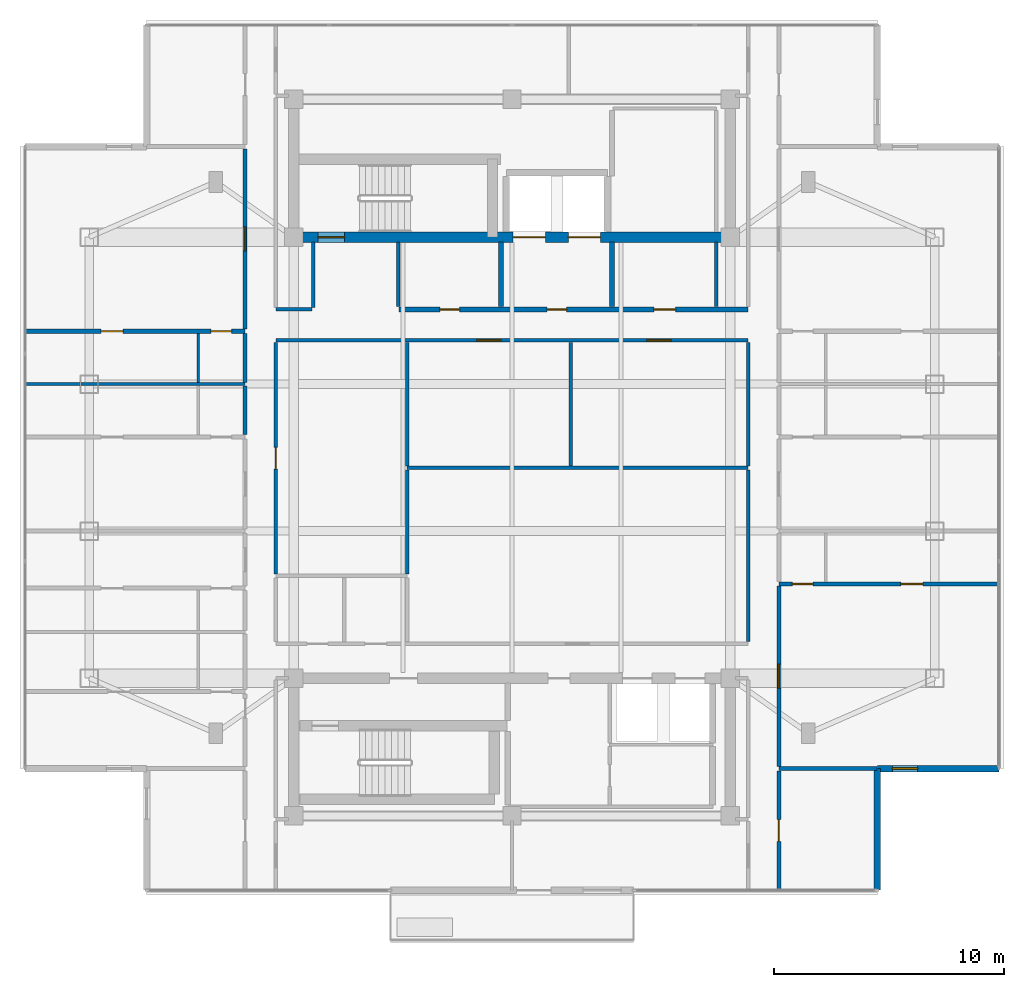
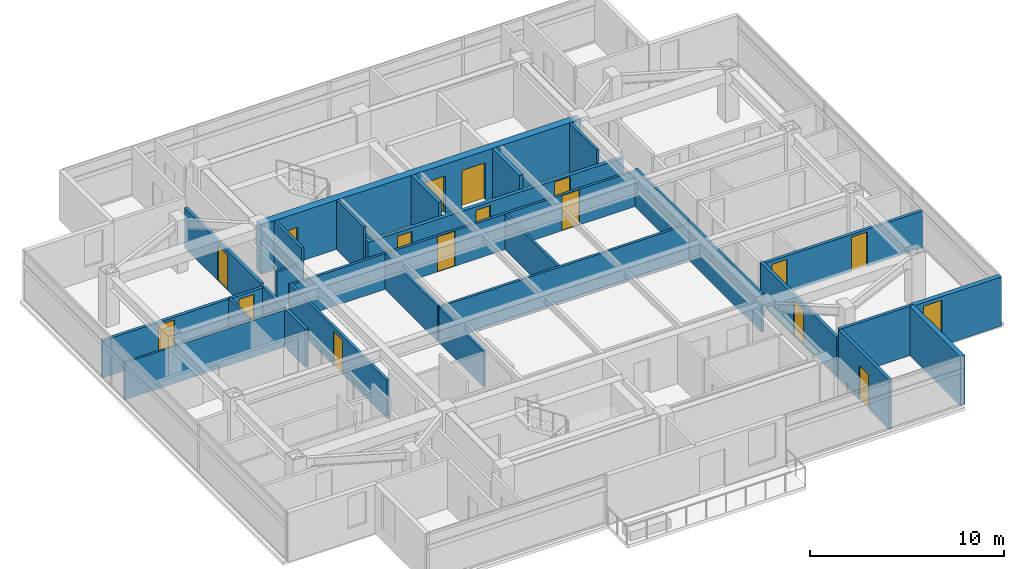
# One storey, part 9 of 14: 28 walls, 16 doors, 1 window, 17 openings.
"""IFC4 building model written with IfcOpenShell, lengths in metres."""

from ifc_helpers import new_model, si_unit, direction, frame, frame_2d, origin, place, context, subcontext, project, spatial, rectangle, extrude, material, layer, layer_set, type_object, element, fill, save


model = new_model("IFC4")

# Units and contexts
model_context = context("Model", 3, precision=1e-05, world=origin(), true_north=direction((0.0, 1.0)))
body_context = subcontext(model_context, "Body", "Model", "MODEL_VIEW")
ifc_project = project(units=[si_unit("LENGTHUNIT", "METRE"), si_unit("AREAUNIT", "SQUARE_METRE"), si_unit("VOLUMEUNIT", "CUBIC_METRE"), si_unit("PLANEANGLEUNIT", "RADIAN"), si_unit("MASSUNIT", "GRAM", prefix="KILO")], contexts=[model_context])

# Site, building, storey
site_placement = place(None, origin())
site = spatial("IfcSite", under=ifc_project, at=site_placement, CompositionType="ELEMENT")
building_placement = place(site_placement, origin())
building = spatial("IfcBuilding", under=site, at=building_placement, Name="Mirazonda Arch Towers", CompositionType="ELEMENT")
storey_placement = place(building_placement, frame((0.0, 0.0, 232.60009765625)))
storey = spatial("IfcBuildingStorey", under=building, at=storey_placement, Name="L66", CompositionType="ELEMENT", Elevation=232.60009765625)

# Wall, openings, doors
ifc_material_1 = material(Name="Concrete C50/60", Category="concrete")
ifc_layer_1 = layer(ifc_material_1, 0.449951171875, Name="WALL-CORE-450")
ifc_layer_set_1 = layer_set([ifc_layer_1], Name="Concrete C50/60")
wall_type_1 = type_object("IfcWallType", Name="WALL-CORE-450", PredefinedType="SHEAR", material=ifc_layer_set_1)
wall_1_placement = place(storey_placement, frame((11.0, 37.60009765625, 0.0), z_axis=(0.0, 0.0, 1.0), x_axis=(1.0, 0.0, 0.0)))
wall_1 = element("IfcWall", 1, at=wall_1_placement, inside=storey, type_object=wall_type_1, Name="L66 T1N-S Core Shear Wall", PredefinedType="SHEAR", context=body_context, shape_type="SweptSolid", body=[
    extrude(rectangle(XDim=19.0, YDim=0.449951171875, at=frame_2d((9.5, 0.0))), origin(), (0.0, 0.0, 1.0), 3.099853515625),
])
opening_1_placement = place(wall_1_placement, frame((1.06005859375, 0.0, 0.0)))
opening_1 = element("IfcOpeningElement", 2, at=opening_1_placement, cuts=wall_1, Name="Opening DR-135", PredefinedType="OPENING", context=body_context, shape_type="SweptSolid", body=[
    extrude(rectangle(XDim=1.14990234375, YDim=2.199951171875, at=frame_2d((0.574951171875, 1.10009765625))), frame((0.0, 0.23486328125, 0.0), z_axis=(0.0, -1.0, 0.0), x_axis=(1.0, 0.0, 0.0)), (0.0, 0.0, 1.0), 0.469970703125),
])
opening_2_placement = place(wall_1_placement, frame((9.550048828125, 0.0, 0.0)))
opening_2 = element("IfcOpeningElement", 3, at=opening_2_placement, cuts=wall_1, Name="Opening LD-112", PredefinedType="OPENING", context=body_context, shape_type="SweptSolid", body=[
    extrude(rectangle(XDim=1.39990234375, YDim=2.35009765625, at=frame_2d((0.699951171875, 1.175048828125))), frame((0.0, 0.23486328125, 0.0), z_axis=(0.0, -1.0, 0.0), x_axis=(1.0, 0.0, 0.0)), (0.0, 0.0, 1.0), 0.469970703125),
])
opening_3_placement = place(wall_1_placement, frame((11.949951171875, 0.0, 0.0)))
opening_3 = element("IfcOpeningElement", 4, at=opening_3_placement, cuts=wall_1, Name="Opening LD-112", PredefinedType="OPENING", context=body_context, shape_type="SweptSolid", body=[
    extrude(rectangle(XDim=1.39990234375, YDim=2.35009765625, at=frame_2d((0.699951171875, 1.175048828125))), frame((0.0, 0.23486328125, 0.0), z_axis=(0.0, -1.0, 0.0), x_axis=(1.0, 0.0, 0.0)), (0.0, 0.0, 1.0), 0.469970703125),
])
ifc_material_2 = material(Name="Architectural Brushed Steel S355", Category="steel")
door_type_1 = type_object("IfcDoorType", Name="DOOR-LIFT-FFL-1400", OperationType="NOTDEFINED", PredefinedType="DOOR", material=ifc_material_2)
door_1_placement = place(opening_2_placement, origin())
door_1 = element("IfcDoor", 5, at=door_1_placement, inside=storey, type_object=door_type_1, Name="L66 Lift Landing Sliding Door FFL-T1", OperationType="DOUBLE_DOOR_SLIDING", OverallHeight=2.35009765625, OverallWidth=1.39990234375, PredefinedType="DOOR", context=body_context, shape_type="SweptSolid", body=[
    extrude(rectangle(XDim=1.39990234375, YDim=2.35009765625, at=frame_2d((0.699951171875, 1.175048828125))), frame((0.0, 0.02490234375, 0.0), z_axis=(0.0, -1.0, 0.0), x_axis=(1.0, 0.0, 0.0)), (0.0, 0.0, 1.0), 0.050048828125),
])
fill(opening_2, door_1)
door_2_placement = place(opening_3_placement, origin())
door_2 = element("IfcDoor", 6, at=door_2_placement, inside=storey, type_object=door_type_1, Name="L66 Lift Landing Sliding Door SVL-T1", OperationType="DOUBLE_DOOR_SLIDING", OverallHeight=2.35009765625, OverallWidth=1.39990234375, PredefinedType="DOOR", context=body_context, shape_type="SweptSolid", body=[
    extrude(rectangle(XDim=1.39990234375, YDim=2.35009765625, at=frame_2d((0.699951171875, 1.175048828125))), frame((0.0, 0.02490234375, 0.0), z_axis=(0.0, -1.0, 0.0), x_axis=(1.0, 0.0, 0.0)), (0.0, 0.0, 1.0), 0.050048828125),
])
fill(opening_3, door_2)
door_type_2 = type_object("IfcDoorType", Name="DOOR-STAIR-FD90-1150", OperationType="NOTDEFINED", PredefinedType="DOOR", material=ifc_material_2)
door_3_placement = place(opening_1_placement, origin())
door_3 = element("IfcDoor", 7, at=door_3_placement, inside=storey, type_object=door_type_2, Name="L66 Protected Exit Stair North Door", OperationType="SINGLE_SWING_RIGHT", OverallHeight=2.199951171875, OverallWidth=1.14990234375, PredefinedType="DOOR", context=body_context, shape_type="SweptSolid", body=[
    extrude(rectangle(XDim=1.14990234375, YDim=2.199951171875, at=frame_2d((0.574951171875, 1.10009765625))), frame((0.0, 0.02490234375, 0.0), z_axis=(0.0, -1.0, 0.0), x_axis=(1.0, 0.0, 0.0)), (0.0, 0.0, 1.0), 0.050048828125),
])
fill(opening_1, door_3)

# Wall, opening, window
ifc_material_3 = material(Name="Precast Concrete C40/50", Category="concrete")
ifc_layer_2 = layer(ifc_material_3, 0.280029296875, Name="WALL-EXT-WALL-280")
ifc_layer_set_2 = layer_set([ifc_layer_2], Name="Precast Concrete C40/50")
wall_type_2 = type_object("IfcWallType", Name="WALL-EXT-WALL-280", PredefinedType="SOLIDWALL", material=ifc_layer_set_2)
wall_2_placement = place(storey_placement, frame((36.409912109375, 14.4580078125, 0.0), z_axis=(0.0, 0.0, 1.0), x_axis=(1.0, 0.0, 0.0)))
wall_2 = element("IfcWall", 8, at=wall_2_placement, inside=storey, type_object=wall_type_2, Name="L66 T1 Corner Notch Return Wall WL-L66-T1-CSE1", PredefinedType="SOLIDWALL", context=body_context, shape_type="SweptSolid", body=[
    extrude(rectangle(XDim=5.2900390625, YDim=0.280029296875, at=frame_2d((2.64501953125, 0.0))), origin(), (0.0, 0.0, 1.0), 3.079833984375),
])
opening_4_placement = place(wall_2_placement, frame((0.64990234375, 0.0, 0.85009765625)))
opening_4 = element("IfcOpeningElement", 9, at=opening_4_placement, cuts=wall_2, Name="Opening WN-108", PredefinedType="OPENING", context=body_context, shape_type="SweptSolid", body=[
    extrude(rectangle(XDim=1.10009765625, YDim=2.0, at=frame_2d((0.550048828125, 1.0))), frame((0.0, 0.14990234375, 0.0), z_axis=(0.0, -1.0, 0.0), x_axis=(1.0, 0.0, 0.0)), (0.0, 0.0, 1.0), 0.300048828125),
])
ifc_material_4 = material(Name="Insulated Low-E Solar Glass", Category="glass")
window_type = type_object("IfcWindowType", Name="WIN-NOTCH-1100x2000", PartitioningType="SINGLE_PANEL", PredefinedType="WINDOW", material=ifc_material_4)
window_placement = place(opening_4_placement, origin())
window = element("IfcWindow", 10, at=window_placement, inside=storey, type_object=window_type, Name="L66 Punched Facade Window WN-L66-T1-CSE1", OverallHeight=2.0, OverallWidth=1.10009765625, PartitioningType="SINGLE_PANEL", PredefinedType="WINDOW", context=body_context, shape_type="SweptSolid", body=[
    extrude(rectangle(XDim=1.10009765625, YDim=2.0, at=frame_2d((0.550048828125, 1.0))), frame((0.0, 0.030029296875, 0.0), z_axis=(0.0, -1.0, 0.0), x_axis=(1.0, 0.0, 0.0)), (0.0, 0.0, 1.0), 0.06005859375),
])
fill(opening_4, window)

# Wall
wall_3_placement = place(storey_placement, frame((36.409912109375, 9.16796875, 0.0), z_axis=(0.0, 0.0, 1.0), x_axis=(0.0, 1.0, 0.0)))
element("IfcWall", 11, at=wall_3_placement, inside=storey, type_object=wall_type_2, Name="L66 T1 Corner Notch Return Wall WL-L66-T1-CSE2", PredefinedType="SOLIDWALL", context=body_context, shape_type="SweptSolid", body=[
    extrude(rectangle(XDim=5.2900390625, YDim=0.280029296875, at=frame_2d((2.64501953125, 0.0))), origin(), (0.0, 0.0, 1.0), 3.079833984375),
])

# Wall, openings, doors
ifc_material_5 = material(Name="Concrete C40/50", Category="concrete")
ifc_layer_3 = layer(ifc_material_5, 0.219970703125, Name="WALL-FFL-220")
ifc_layer_set_3 = layer_set([ifc_layer_3], Name="Concrete C40/50")
wall_type_3 = type_object("IfcWallType", Name="WALL-FFL-220", PredefinedType="SOLIDWALL", material=ifc_layer_set_3)
wall_4_placement = place(storey_placement, frame((15.590087890625, 34.449951171875, 0.0), z_axis=(0.0, 0.0, 1.0), x_axis=(1.0, 0.0, 0.0)))
wall_4 = element("IfcWall", 12, at=wall_4_placement, inside=storey, type_object=wall_type_3, Name="L66 Interior Partition 028", PredefinedType="SOLIDWALL", context=body_context, shape_type="SweptSolid", body=[
    extrude(rectangle(XDim=15.18994140625, YDim=0.219970703125, at=frame_2d((7.594970703125, 0.0))), origin(), (0.0, 0.0, 1.0), 2.23583984375),
])
opening_5_placement = place(wall_4_placement, frame((6.43505859375, 0.0, 0.0)))
opening_5 = element("IfcOpeningElement", 13, at=opening_5_placement, cuts=wall_4, Name="Opening DR-128", PredefinedType="OPENING", context=body_context, shape_type="SweptSolid", body=[
    extrude(rectangle(XDim=0.85009765625, YDim=2.010009765625, at=frame_2d((0.425048828125, 1.0048828125))), frame((0.0, 0.119873046875, 0.0), z_axis=(0.0, -1.0, 0.0), x_axis=(1.0, 0.0, 0.0)), (0.0, 0.0, 1.0), 0.239990234375),
])
opening_6_placement = place(wall_4_placement, frame((11.0849609375, 0.0, 0.0)))
opening_6 = element("IfcOpeningElement", 14, at=opening_6_placement, cuts=wall_4, Name="Opening DR-104", PredefinedType="OPENING", context=body_context, shape_type="SweptSolid", body=[
    extrude(rectangle(XDim=0.949951171875, YDim=2.14990234375, at=frame_2d((0.47509765625, 1.074951171875))), frame((0.0, 0.119873046875, 0.0), z_axis=(0.0, -1.0, 0.0), x_axis=(1.0, 0.0, 0.0)), (0.0, 0.0, 1.0), 0.239990234375),
])
opening_7_placement = place(wall_4_placement, frame((1.77490234375, 0.0, 0.0)))
opening_7 = element("IfcOpeningElement", 15, at=opening_7_placement, cuts=wall_4, Name="Opening DR-128", PredefinedType="OPENING", context=body_context, shape_type="SweptSolid", body=[
    extrude(rectangle(XDim=0.85009765625, YDim=2.010009765625, at=frame_2d((0.425048828125, 1.0048828125))), frame((0.0, 0.119873046875, 0.0), z_axis=(0.0, -1.0, 0.0), x_axis=(1.0, 0.0, 0.0)), (0.0, 0.0, 1.0), 0.239990234375),
])
door_type_3 = type_object("IfcDoorType", Name="DOOR-RISER-FD60-850", OperationType="NOTDEFINED", PredefinedType="DOOR", material=ifc_material_2)
door_4_placement = place(opening_5_placement, origin())
door_4 = element("IfcDoor", 16, at=door_4_placement, inside=storey, type_object=door_type_3, Name="L66 Firefighting Lift Lobby Door", OperationType="SINGLE_SWING_LEFT", OverallHeight=2.010009765625, OverallWidth=0.85009765625, PredefinedType="DOOR", context=body_context, shape_type="SweptSolid", body=[
    extrude(rectangle(XDim=0.85009765625, YDim=2.010009765625, at=frame_2d((0.425048828125, 1.0048828125))), frame((0.0, 0.02490234375, 0.0), z_axis=(0.0, -1.0, 0.0), x_axis=(1.0, 0.0, 0.0)), (0.0, 0.0, 1.0), 0.050048828125),
])
fill(opening_5, door_4)
door_5_placement = place(opening_7_placement, origin())
door_5 = element("IfcDoor", 17, at=door_5_placement, inside=storey, type_object=door_type_3, Name="L66 Housekeeping Linen Room Door", OperationType="SINGLE_SWING_LEFT", OverallHeight=2.010009765625, OverallWidth=0.85009765625, PredefinedType="DOOR", context=body_context, shape_type="SweptSolid", body=[
    extrude(rectangle(XDim=0.85009765625, YDim=2.010009765625, at=frame_2d((0.425048828125, 1.0048828125))), frame((0.0, 0.02490234375, 0.0), z_axis=(0.0, -1.0, 0.0), x_axis=(1.0, 0.0, 0.0)), (0.0, 0.0, 1.0), 0.050048828125),
])
fill(opening_7, door_5)
door_type_4 = type_object("IfcDoorType", Name="DOOR-ROOM-950", OperationType="NOTDEFINED", PredefinedType="DOOR", material=ifc_material_2)
door_6_placement = place(opening_6_placement, origin())
door_6 = element("IfcDoor", 18, at=door_6_placement, inside=storey, type_object=door_type_4, Name="L66 Residents Private Art Gallery Door", OperationType="SINGLE_SWING_RIGHT", OverallHeight=2.14990234375, OverallWidth=0.949951171875, PredefinedType="DOOR", context=body_context, shape_type="SweptSolid", body=[
    extrude(rectangle(XDim=0.949951171875, YDim=2.14990234375, at=frame_2d((0.47509765625, 1.074951171875))), frame((0.0, 0.02490234375, 0.0), z_axis=(0.0, -1.0, 0.0), x_axis=(1.0, 0.0, 0.0)), (0.0, 0.0, 1.0), 0.050048828125),
])
fill(opening_6, door_6)

# Walls
for number, where, z_axis, x_axis, name in (
    (19, (20.02490234375, 34.570068359375, 0.0), (0.0, 0.0, 1.0), (0.0, 1.0, 0.0), "L66 Interior Partition 062"),
    (20, (24.85009765625, 34.570068359375, 0.0), (0.0, 0.0, 1.0), (0.0, 1.0, 0.0), "L66 Interior Partition 072"),
):
    element("IfcWall", number, at=place(storey_placement, frame(where, z_axis=z_axis, x_axis=x_axis)), inside=storey, type_object=wall_type_3, Name=name, PredefinedType="SOLIDWALL", context=body_context, shape_type="SweptSolid", body=[
        extrude(rectangle(XDim=2.809814453125, YDim=0.219970703125, at=frame_2d((1.40478515625, 0.0))), origin(), (0.0, 0.0, 1.0), 3.099853515625),
    ])
ifc_material_6 = material(Name="Fire-Rated Gypsum Stud Partition")
ifc_layer_4 = layer(ifc_material_6, 0.14990234375, Name="WALL-PART-CORR-150")
ifc_layer_set_4 = layer_set([ifc_layer_4], Name="Fire-Rated Gypsum Stud Partition")
wall_type_4 = type_object("IfcWallType", Name="WALL-PART-CORR-150", PredefinedType="PARTITIONING", material=ifc_layer_set_4)
wall_5_placement = place(storey_placement, frame((15.929931640625, 27.555908203125, 0.0), z_axis=(0.0, 0.0, 1.0), x_axis=(1.0, 0.0, 0.0)))
element("IfcWall", 21, at=wall_5_placement, inside=storey, type_object=wall_type_4, Name="L66 Interior Partition 019", PredefinedType="PARTITIONING", context=body_context, shape_type="SweptSolid", body=[
    extrude(rectangle(XDim=14.85009765625, YDim=0.14990234375, at=frame_2d((7.425048828125, 0.0))), origin(), (0.0, 0.0, 1.0), 2.23583984375),
])

# Wall, openings, doors
wall_6_placement = place(storey_placement, frame((10.219970703125, 33.10009765625, 0.0), z_axis=(0.0, 0.0, 1.0), x_axis=(1.0, 0.0, 0.0)))
wall_6 = element("IfcWall", 22, at=wall_6_placement, inside=storey, type_object=wall_type_4, Name="L66 Interior Partition 024", PredefinedType="PARTITIONING", context=body_context, shape_type="SweptSolid", body=[
    extrude(rectangle(XDim=20.56005859375, YDim=0.14990234375, at=frame_2d((10.280029296875, 0.0))), origin(), (0.0, 0.0, 1.0), 2.23583984375),
])
opening_8_placement = place(wall_6_placement, frame((8.7490234375, 0.0, 0.0)))
opening_8 = element("IfcOpeningElement", 23, at=opening_8_placement, cuts=wall_6, Name="Opening DR-121", PredefinedType="OPENING", context=body_context, shape_type="SweptSolid", body=[
    extrude(rectangle(XDim=1.050048828125, YDim=2.199951171875, at=frame_2d((0.52490234375, 1.10009765625))), frame((0.0, 0.0849609375, 0.0), z_axis=(0.0, -1.0, 0.0), x_axis=(1.0, 0.0, 0.0)), (0.0, 0.0, 1.0), 0.169921875),
])
opening_9_placement = place(wall_6_placement, frame((16.154052734375, 0.0, 0.0)))
opening_9 = element("IfcOpeningElement", 24, at=opening_9_placement, cuts=wall_6, Name="Opening DR-121", PredefinedType="OPENING", context=body_context, shape_type="SweptSolid", body=[
    extrude(rectangle(XDim=1.050048828125, YDim=2.199951171875, at=frame_2d((0.52490234375, 1.10009765625))), frame((0.0, 0.0849609375, 0.0), z_axis=(0.0, -1.0, 0.0), x_axis=(1.0, 0.0, 0.0)), (0.0, 0.0, 1.0), 0.169921875),
])
door_type_5 = type_object("IfcDoorType", Name="DOOR-SUITE-FD60-1050", OperationType="NOTDEFINED", PredefinedType="DOOR", material=ifc_material_2)
door_7_placement = place(opening_8_placement, origin())
door_7 = element("IfcDoor", 25, at=door_7_placement, inside=storey, type_object=door_type_5, Name="L66 Business Reading Study Door", OperationType="SINGLE_SWING_LEFT", OverallHeight=2.199951171875, OverallWidth=1.050048828125, PredefinedType="DOOR", context=body_context, shape_type="SweptSolid", body=[
    extrude(rectangle(XDim=1.050048828125, YDim=2.199951171875, at=frame_2d((0.52490234375, 1.10009765625))), frame((0.0, 0.02490234375, 0.0), z_axis=(0.0, -1.0, 0.0), x_axis=(1.0, 0.0, 0.0)), (0.0, 0.0, 1.0), 0.050048828125),
])
fill(opening_8, door_7)
door_8_placement = place(opening_9_placement, origin())
door_8 = element("IfcDoor", 26, at=door_8_placement, inside=storey, type_object=door_type_5, Name="L66 Private Meeting Suite Door", OperationType="SINGLE_SWING_RIGHT", OverallHeight=2.199951171875, OverallWidth=1.050048828125, PredefinedType="DOOR", context=body_context, shape_type="SweptSolid", body=[
    extrude(rectangle(XDim=1.050048828125, YDim=2.199951171875, at=frame_2d((0.52490234375, 1.10009765625))), frame((0.0, 0.02490234375, 0.0), z_axis=(0.0, -1.0, 0.0), x_axis=(1.0, 0.0, 0.0)), (0.0, 0.0, 1.0), 0.050048828125),
])
fill(opening_9, door_8)

# Wall
wall_7_placement = place(storey_placement, frame((10.219970703125, 34.449951171875, 0.0), z_axis=(0.0, 0.0, 1.0), x_axis=(1.0, 0.0, 0.0)))
element("IfcWall", 27, at=wall_7_placement, inside=storey, type_object=wall_type_4, Name="L66 Interior Partition 027", PredefinedType="PARTITIONING", context=body_context, shape_type="SweptSolid", body=[
    extrude(rectangle(XDim=1.580078125, YDim=0.14990234375, at=frame_2d((0.7900390625, 0.0))), origin(), (0.0, 0.0, 1.0), 2.23583984375),
])

# Wall, opening, door
wall_8_placement = place(storey_placement, frame((10.219970703125, 22.93505859375, 0.0), z_axis=(0.0, 0.0, 1.0), x_axis=(0.0, 1.0, 0.0)))
wall_8 = element("IfcWall", 28, at=wall_8_placement, inside=storey, type_object=wall_type_4, Name="L66 Interior Partition 052", PredefinedType="PARTITIONING", context=body_context, shape_type="SweptSolid", body=[
    extrude(rectangle(XDim=10.079833984375, YDim=0.14990234375, at=frame_2d((5.0400390625, 0.0))), origin(), (0.0, 0.0, 1.0), 2.39599609375),
])
opening_10_placement = place(wall_8_placement, frame((4.56494140625, 0.0, 0.0)))
opening_10 = element("IfcOpeningElement", 29, at=opening_10_placement, cuts=wall_8, Name="Opening DR-104", PredefinedType="OPENING", context=body_context, shape_type="SweptSolid", body=[
    extrude(rectangle(XDim=0.949951171875, YDim=2.14990234375, at=frame_2d((0.47509765625, 1.074951171875))), frame((0.0, 0.0849609375, 0.0), z_axis=(0.0, -1.0, 0.0), x_axis=(1.0, 0.0, 0.0)), (0.0, 0.0, 1.0), 0.169921875),
])
door_9_placement = place(opening_10_placement, origin())
door_9 = element("IfcDoor", 30, at=door_9_placement, inside=storey, type_object=door_type_4, Name="L66 L66 West Courtyard Salon Door", OperationType="SINGLE_SWING_LEFT", OverallHeight=2.14990234375, OverallWidth=0.949951171875, PredefinedType="DOOR", context=body_context, shape_type="SweptSolid", body=[
    extrude(rectangle(XDim=0.949951171875, YDim=2.14990234375, at=frame_2d((0.47509765625, 1.074951171875))), frame((0.0, 0.02490234375, 0.0), z_axis=(0.0, -1.0, 0.0), x_axis=(1.0, 0.0, 0.0)), (0.0, 0.0, 1.0), 0.050048828125),
])
fill(opening_10, door_9)

# Walls
wall_9_placement = place(storey_placement, frame((11.85009765625, 34.534912109375, 0.0), z_axis=(0.0, 0.0, 1.0), x_axis=(0.0, 1.0, 0.0)))
element("IfcWall", 31, at=wall_9_placement, inside=storey, type_object=wall_type_4, Name="L66 Interior Partition 055", PredefinedType="PARTITIONING", context=body_context, shape_type="SweptSolid", body=[
    extrude(rectangle(XDim=2.844970703125, YDim=0.14990234375, at=frame_2d((1.42236328125, 0.0))), origin(), (0.0, 0.0, 1.0), 3.099853515625),
])
wall_10_placement = place(storey_placement, frame((15.550048828125, 34.570068359375, 0.0), z_axis=(0.0, 0.0, 1.0), x_axis=(0.0, 1.0, 0.0)))
element("IfcWall", 32, at=wall_10_placement, inside=storey, type_object=wall_type_4, Name="L66 Interior Partition 057", PredefinedType="PARTITIONING", context=body_context, shape_type="SweptSolid", body=[
    extrude(rectangle(XDim=2.809814453125, YDim=0.14990234375, at=frame_2d((1.40478515625, 0.0))), origin(), (0.0, 0.0, 1.0), 3.099853515625),
])
wall_11_placement = place(storey_placement, frame((15.929931640625, 22.93505859375, 0.0), z_axis=(0.0, 0.0, 1.0), x_axis=(0.0, 1.0, 0.0)))
element("IfcWall", 33, at=wall_11_placement, inside=storey, type_object=wall_type_4, Name="L66 Interior Partition 059", PredefinedType="PARTITIONING", context=body_context, shape_type="SweptSolid", body=[
    extrude(rectangle(XDim=4.535888671875, YDim=0.14990234375, at=frame_2d((2.26806640625, 0.0))), origin(), (0.0, 0.0, 1.0), 2.23583984375),
])
for number, where, z_axis, x_axis, name in (
    (34, (15.929931640625, 27.64111328125, 0.0), (0.0, 0.0, 1.0), (0.0, 1.0, 0.0), "L66 Interior Partition 060"),
    (35, (23.05810546875, 27.64111328125, 0.0), (0.0, 0.0, 1.0), (0.0, 1.0, 0.0), "L66 Interior Partition 068"),
):
    element("IfcWall", number, at=place(storey_placement, frame(where, z_axis=z_axis, x_axis=x_axis)), inside=storey, type_object=wall_type_4, Name=name, PredefinedType="PARTITIONING", context=body_context, shape_type="SweptSolid", body=[
        extrude(rectangle(XDim=5.373779296875, YDim=0.14990234375, at=frame_2d((2.68701171875, 0.0))), origin(), (0.0, 0.0, 1.0), 2.23583984375),
    ])
wall_12_placement = place(storey_placement, frame((29.39990234375, 34.570068359375, 0.0), z_axis=(0.0, 0.0, 1.0), x_axis=(0.0, 1.0, 0.0)))
element("IfcWall", 36, at=wall_12_placement, inside=storey, type_object=wall_type_4, Name="L66 Interior Partition 076", PredefinedType="PARTITIONING", context=body_context, shape_type="SweptSolid", body=[
    extrude(rectangle(XDim=2.809814453125, YDim=0.14990234375, at=frame_2d((1.40478515625, 0.0))), origin(), (0.0, 0.0, 1.0), 3.099853515625),
])
wall_13_placement = place(storey_placement, frame((30.780029296875, 19.985107421875, 0.0), z_axis=(0.0, 0.0, 1.0), x_axis=(0.0, 1.0, 0.0)))
element("IfcWall", 37, at=wall_13_placement, inside=storey, type_object=wall_type_4, Name="L66 Interior Partition 080", PredefinedType="PARTITIONING", context=body_context, shape_type="SweptSolid", body=[
    extrude(rectangle(XDim=7.48583984375, YDim=0.14990234375, at=frame_2d((3.742919921875, 0.0))), origin(), (0.0, 0.0, 1.0), 2.39599609375),
])
wall_14_placement = place(storey_placement, frame((30.780029296875, 27.64111328125, 0.0), z_axis=(0.0, 0.0, 1.0), x_axis=(0.0, 1.0, 0.0)))
element("IfcWall", 38, at=wall_14_placement, inside=storey, type_object=wall_type_4, Name="L66 Interior Partition 081", PredefinedType="PARTITIONING", context=body_context, shape_type="SweptSolid", body=[
    extrude(rectangle(XDim=5.373779296875, YDim=0.14990234375, at=frame_2d((2.68701171875, 0.0))), origin(), (0.0, 0.0, 1.0), 2.39599609375),
])
ifc_material_7 = material(Name="Fire-Rated Gypsum Twin-Stud Assembly")
ifc_layer_5 = layer(ifc_material_7, 0.179931640625, Name="WALL-PART-DEMISE-180")
ifc_layer_set_5 = layer_set([ifc_layer_5], Name="Fire-Rated Gypsum Twin-Stud Assembly")
wall_type_5 = type_object("IfcWallType", Name="WALL-PART-DEMISE-180", PredefinedType="PARTITIONING", material=ifc_layer_set_5)
wall_15_placement = place(storey_placement, frame((32.1201171875, 14.4580078125, 0.0), z_axis=(0.0, 0.0, 1.0), x_axis=(1.0, 0.0, 0.0)))
element("IfcWall", 39, at=wall_15_placement, inside=storey, type_object=wall_type_5, Name="L66 Interior Partition 006", PredefinedType="PARTITIONING", context=body_context, shape_type="SweptSolid", body=[
    extrude(rectangle(XDim=4.269775390625, YDim=0.179931640625, at=frame_2d((2.134765625, 0.0))), origin(), (0.0, 0.0, 1.0), 3.099853515625),
])

# Wall, openings, doors
wall_16_placement = place(storey_placement, frame((32.1201171875, 22.5, 0.0), z_axis=(0.0, 0.0, 1.0), x_axis=(1.0, 0.0, 0.0)))
wall_16 = element("IfcWall", 40, at=wall_16_placement, inside=storey, type_object=wall_type_5, Name="L66 Interior Partition 015", PredefinedType="PARTITIONING", context=body_context, shape_type="SweptSolid", body=[
    extrude(rectangle(XDim=9.579833984375, YDim=0.179931640625, at=frame_2d((4.7900390625, 0.0))), origin(), (0.0, 0.0, 1.0), 2.31884765625),
])
opening_11_placement = place(wall_16_placement, frame((5.31494140625, 0.0, 0.0)))
opening_11 = element("IfcOpeningElement", 41, at=opening_11_placement, cuts=wall_16, Name="Opening DR-104", PredefinedType="OPENING", context=body_context, shape_type="SweptSolid", body=[
    extrude(rectangle(XDim=0.949951171875, YDim=2.14990234375, at=frame_2d((0.47509765625, 1.074951171875))), frame((0.0, 0.099853515625, 0.0), z_axis=(0.0, -1.0, 0.0), x_axis=(1.0, 0.0, 0.0)), (0.0, 0.0, 1.0), 0.199951171875),
])
opening_12_placement = place(wall_16_placement, frame((0.590087890625, 0.0, 0.0)))
opening_12 = element("IfcOpeningElement", 42, at=opening_12_placement, cuts=wall_16, Name="Opening DR-120", PredefinedType="OPENING", context=body_context, shape_type="SweptSolid", body=[
    extrude(rectangle(XDim=0.89990234375, YDim=2.10009765625, at=frame_2d((0.449951171875, 1.050048828125))), frame((0.0, 0.099853515625, 0.0), z_axis=(0.0, -1.0, 0.0), x_axis=(1.0, 0.0, 0.0)), (0.0, 0.0, 1.0), 0.199951171875),
])
door_10_placement = place(opening_11_placement, origin())
door_10 = element("IfcDoor", 43, at=door_10_placement, inside=storey, type_object=door_type_4, Name="L66 Suite Bedroom 1 Door", OperationType="SINGLE_SWING_RIGHT", OverallHeight=2.14990234375, OverallWidth=0.949951171875, PredefinedType="DOOR", context=body_context, shape_type="SweptSolid", body=[
    extrude(rectangle(XDim=0.949951171875, YDim=2.14990234375, at=frame_2d((0.47509765625, 1.074951171875))), frame((0.0, 0.02490234375, 0.0), z_axis=(0.0, -1.0, 0.0), x_axis=(1.0, 0.0, 0.0)), (0.0, 0.0, 1.0), 0.050048828125),
])
fill(opening_11, door_10)
door_type_6 = type_object("IfcDoorType", Name="DOOR-WC-900", OperationType="NOTDEFINED", PredefinedType="DOOR", material=ifc_material_2)
door_11_placement = place(opening_12_placement, origin())
door_11 = element("IfcDoor", 44, at=door_11_placement, inside=storey, type_object=door_type_6, Name="L66 Suite En-Suite Bathroom 1 Door", OperationType="SINGLE_SWING_LEFT", OverallHeight=2.10009765625, OverallWidth=0.89990234375, PredefinedType="DOOR", context=body_context, shape_type="SweptSolid", body=[
    extrude(rectangle(XDim=0.89990234375, YDim=2.10009765625, at=frame_2d((0.449951171875, 1.050048828125))), frame((0.0, 0.02490234375, 0.0), z_axis=(0.0, -1.0, 0.0), x_axis=(1.0, 0.0, 0.0)), (0.0, 0.0, 1.0), 0.050048828125),
])
fill(opening_12, door_11)

wall_17_placement = place(storey_placement, frame((-0.699951171875, 33.5, 0.0), z_axis=(0.0, 0.0, 1.0), x_axis=(1.0, 0.0, 0.0)))
wall_17 = element("IfcWall", 45, at=wall_17_placement, inside=storey, type_object=wall_type_5, Name="L66 Interior Partition 025", PredefinedType="PARTITIONING", context=body_context, shape_type="SweptSolid", body=[
    extrude(rectangle(XDim=9.579833984375, YDim=0.179931640625, at=frame_2d((4.7900390625, 0.0))), origin(), (0.0, 0.0, 1.0), 2.31884765625),
])
opening_13_placement = place(wall_17_placement, frame((3.31494140625, 0.0, 0.0)))
opening_13 = element("IfcOpeningElement", 46, at=opening_13_placement, cuts=wall_17, Name="Opening DR-104", PredefinedType="OPENING", context=body_context, shape_type="SweptSolid", body=[
    extrude(rectangle(XDim=0.949951171875, YDim=2.14990234375, at=frame_2d((0.47509765625, 1.074951171875))), frame((0.0, 0.099853515625, 0.0), z_axis=(0.0, -1.0, 0.0), x_axis=(1.0, 0.0, 0.0)), (0.0, 0.0, 1.0), 0.199951171875),
])
opening_14_placement = place(wall_17_placement, frame((8.090087890625, 0.0, 0.0)))
opening_14 = element("IfcOpeningElement", 47, at=opening_14_placement, cuts=wall_17, Name="Opening DR-120", PredefinedType="OPENING", context=body_context, shape_type="SweptSolid", body=[
    extrude(rectangle(XDim=0.89990234375, YDim=2.10009765625, at=frame_2d((0.449951171875, 1.050048828125))), frame((0.0, 0.099853515625, 0.0), z_axis=(0.0, -1.0, 0.0), x_axis=(1.0, 0.0, 0.0)), (0.0, 0.0, 1.0), 0.199951171875),
])
door_12_placement = place(opening_13_placement, origin())
door_12 = element("IfcDoor", 48, at=door_12_placement, inside=storey, type_object=door_type_4, Name="L66 Suite Bedroom 4 Door", OperationType="SINGLE_SWING_LEFT", OverallHeight=2.14990234375, OverallWidth=0.949951171875, PredefinedType="DOOR", context=body_context, shape_type="SweptSolid", body=[
    extrude(rectangle(XDim=0.949951171875, YDim=2.14990234375, at=frame_2d((0.47509765625, 1.074951171875))), frame((0.0, 0.02490234375, 0.0), z_axis=(0.0, -1.0, 0.0), x_axis=(1.0, 0.0, 0.0)), (0.0, 0.0, 1.0), 0.050048828125),
])
fill(opening_13, door_12)
door_13_placement = place(opening_14_placement, origin())
door_13 = element("IfcDoor", 49, at=door_13_placement, inside=storey, type_object=door_type_6, Name="L66 Suite En-Suite Bathroom 4 Door", OperationType="SINGLE_SWING_RIGHT", OverallHeight=2.10009765625, OverallWidth=0.89990234375, PredefinedType="DOOR", context=body_context, shape_type="SweptSolid", body=[
    extrude(rectangle(XDim=0.89990234375, YDim=2.10009765625, at=frame_2d((0.449951171875, 1.050048828125))), frame((0.0, 0.02490234375, 0.0), z_axis=(0.0, -1.0, 0.0), x_axis=(1.0, 0.0, 0.0)), (0.0, 0.0, 1.0), 0.050048828125),
])
fill(opening_14, door_13)

# Walls
for number, where, z_axis, x_axis, name in (
    (50, (8.8798828125, 29.0, 0.0), (0.0, 0.0, 1.0), (0.0, 1.0, 0.0), "L66 Interior Partition 045"),
    (51, (8.8798828125, 31.2724609375, 0.0), (0.0, 0.0, 1.0), (0.0, 1.0, 0.0), "L66 Interior Partition 046"),
):
    element("IfcWall", number, at=place(storey_placement, frame(where, z_axis=z_axis, x_axis=x_axis)), inside=storey, type_object=wall_type_5, Name=name, PredefinedType="PARTITIONING", context=body_context, shape_type="SweptSolid", body=[
        extrude(rectangle(XDim=2.12744140625, YDim=0.179931640625, at=frame_2d((1.063720703125, 0.0))), origin(), (0.0, 0.0, 1.0), 2.39599609375),
    ])

# Wall, opening, door
wall_18_placement = place(storey_placement, frame((8.8798828125, 33.60009765625, 0.0), z_axis=(0.0, 0.0, 1.0), x_axis=(0.0, 1.0, 0.0)))
wall_18 = element("IfcWall", 52, at=wall_18_placement, inside=storey, type_object=wall_type_5, Name="L66 Interior Partition 047", PredefinedType="PARTITIONING", context=body_context, shape_type="SweptSolid", body=[
    extrude(rectangle(XDim=7.841796875, YDim=0.179931640625, at=frame_2d((3.9208984375, 0.0))), origin(), (0.0, 0.0, 1.0), 2.491943359375),
])
opening_15_placement = place(wall_18_placement, frame((3.39599609375, 0.0, 0.0)))
opening_15 = element("IfcOpeningElement", 53, at=opening_15_placement, cuts=wall_18, Name="Opening DR-121", PredefinedType="OPENING", context=body_context, shape_type="SweptSolid", body=[
    extrude(rectangle(XDim=1.050048828125, YDim=2.199951171875, at=frame_2d((0.52490234375, 1.10009765625))), frame((0.0, 0.099853515625, 0.0), z_axis=(0.0, -1.0, 0.0), x_axis=(1.0, 0.0, 0.0)), (0.0, 0.0, 1.0), 0.199951171875),
])
door_14_placement = place(opening_15_placement, origin())
door_14 = element("IfcDoor", 54, at=door_14_placement, inside=storey, type_object=door_type_5, Name="L66 Presidential Hotel Suite 4 Door", OperationType="SINGLE_SWING_RIGHT", OverallHeight=2.199951171875, OverallWidth=1.050048828125, PredefinedType="DOOR", context=body_context, shape_type="SweptSolid", body=[
    extrude(rectangle(XDim=1.050048828125, YDim=2.199951171875, at=frame_2d((0.52490234375, 1.10009765625))), frame((0.0, 0.02490234375, 0.0), z_axis=(0.0, -1.0, 0.0), x_axis=(1.0, 0.0, 0.0)), (0.0, 0.0, 1.0), 0.050048828125),
])
fill(opening_15, door_14)

wall_19_placement = place(storey_placement, frame((32.1201171875, 9.16796875, 0.0), z_axis=(0.0, 0.0, 1.0), x_axis=(0.0, 1.0, 0.0)))
wall_19 = element("IfcWall", 55, at=wall_19_placement, inside=storey, type_object=wall_type_5, Name="L66 Interior Partition 084", PredefinedType="PARTITIONING", context=body_context, shape_type="SweptSolid", body=[
    extrude(rectangle(XDim=5.18994140625, YDim=0.179931640625, at=frame_2d((2.594970703125, 0.0))), origin(), (0.0, 0.0, 1.0), 3.099853515625),
])
opening_16_placement = place(wall_19_placement, frame((2.1201171875, 0.0, 0.0)))
opening_16 = element("IfcOpeningElement", 56, at=opening_16_placement, cuts=wall_19, Name="Opening DR-104", PredefinedType="OPENING", context=body_context, shape_type="SweptSolid", body=[
    extrude(rectangle(XDim=0.949951171875, YDim=2.14990234375, at=frame_2d((0.47509765625, 1.074951171875))), frame((0.0, 0.099853515625, 0.0), z_axis=(0.0, -1.0, 0.0), x_axis=(1.0, 0.0, 0.0)), (0.0, 0.0, 1.0), 0.199951171875),
])
door_15_placement = place(opening_16_placement, origin())
door_15 = element("IfcDoor", 57, at=door_15_placement, inside=storey, type_object=door_type_4, Name="L66 South Horizon Lounge Alcove East Door", OperationType="SINGLE_SWING_RIGHT", OverallHeight=2.14990234375, OverallWidth=0.949951171875, PredefinedType="DOOR", context=body_context, shape_type="SweptSolid", body=[
    extrude(rectangle(XDim=0.949951171875, YDim=2.14990234375, at=frame_2d((0.47509765625, 1.074951171875))), frame((0.0, 0.02490234375, 0.0), z_axis=(0.0, -1.0, 0.0), x_axis=(1.0, 0.0, 0.0)), (0.0, 0.0, 1.0), 0.050048828125),
])
fill(opening_16, door_15)

wall_20_placement = place(storey_placement, frame((32.1201171875, 14.55810546875, 0.0), z_axis=(0.0, 0.0, 1.0), x_axis=(0.0, 1.0, 0.0)))
wall_20 = element("IfcWall", 58, at=wall_20_placement, inside=storey, type_object=wall_type_5, Name="L66 Interior Partition 085", PredefinedType="PARTITIONING", context=body_context, shape_type="SweptSolid", body=[
    extrude(rectangle(XDim=7.841796875, YDim=0.179931640625, at=frame_2d((3.9208984375, 0.0))), origin(), (0.0, 0.0, 1.0), 2.491943359375),
])
opening_17_placement = place(wall_20_placement, frame((3.39599609375, 0.0, 0.0)))
opening_17 = element("IfcOpeningElement", 59, at=opening_17_placement, cuts=wall_20, Name="Opening DR-121", PredefinedType="OPENING", context=body_context, shape_type="SweptSolid", body=[
    extrude(rectangle(XDim=1.050048828125, YDim=2.199951171875, at=frame_2d((0.52490234375, 1.10009765625))), frame((0.0, 0.099853515625, 0.0), z_axis=(0.0, -1.0, 0.0), x_axis=(1.0, 0.0, 0.0)), (0.0, 0.0, 1.0), 0.199951171875),
])
door_16_placement = place(opening_17_placement, origin())
door_16 = element("IfcDoor", 60, at=door_16_placement, inside=storey, type_object=door_type_5, Name="L66 Presidential Hotel Suite 1 Door", OperationType="SINGLE_SWING_LEFT", OverallHeight=2.199951171875, OverallWidth=1.050048828125, PredefinedType="DOOR", context=body_context, shape_type="SweptSolid", body=[
    extrude(rectangle(XDim=1.050048828125, YDim=2.199951171875, at=frame_2d((0.52490234375, 1.10009765625))), frame((0.0, 0.02490234375, 0.0), z_axis=(0.0, -1.0, 0.0), x_axis=(1.0, 0.0, 0.0)), (0.0, 0.0, 1.0), 0.050048828125),
])
fill(opening_17, door_16)

# Walls
ifc_material_8 = material(Name="Acoustic Fire-Rated Gypsum Partition")
ifc_layer_6 = layer(ifc_material_8, 0.125, Name="WALL-PART-UNIT-125")
ifc_layer_set_6 = layer_set([ifc_layer_6], Name="Acoustic Fire-Rated Gypsum Partition")
wall_type_6 = type_object("IfcWallType", Name="WALL-PART-UNIT-125", PredefinedType="PARTITIONING", material=ifc_layer_set_6)
wall_21_placement = place(storey_placement, frame((-0.699951171875, 31.199951171875, 0.0), z_axis=(0.0, 0.0, 1.0), x_axis=(1.0, 0.0, 0.0)))
element("IfcWall", 61, at=wall_21_placement, inside=storey, type_object=wall_type_6, Name="L66 Interior Partition 022", PredefinedType="PARTITIONING", context=body_context, shape_type="SweptSolid", body=[
    extrude(rectangle(XDim=9.579833984375, YDim=0.125, at=frame_2d((4.7900390625, 0.0))), origin(), (0.0, 0.0, 1.0), 2.31884765625),
])
wall_22_placement = place(storey_placement, frame((6.840087890625, 31.2724609375, 0.0), z_axis=(0.0, 0.0, 1.0), x_axis=(0.0, 1.0, 0.0)))
element("IfcWall", 62, at=wall_22_placement, inside=storey, type_object=wall_type_6, Name="L66 Interior Partition 038", PredefinedType="PARTITIONING", context=body_context, shape_type="SweptSolid", body=[
    extrude(rectangle(XDim=2.12744140625, YDim=0.125, at=frame_2d((1.063720703125, 0.0))), origin(), (0.0, 0.0, 1.0), 2.39599609375),
])

save(model, "model.ifc")
